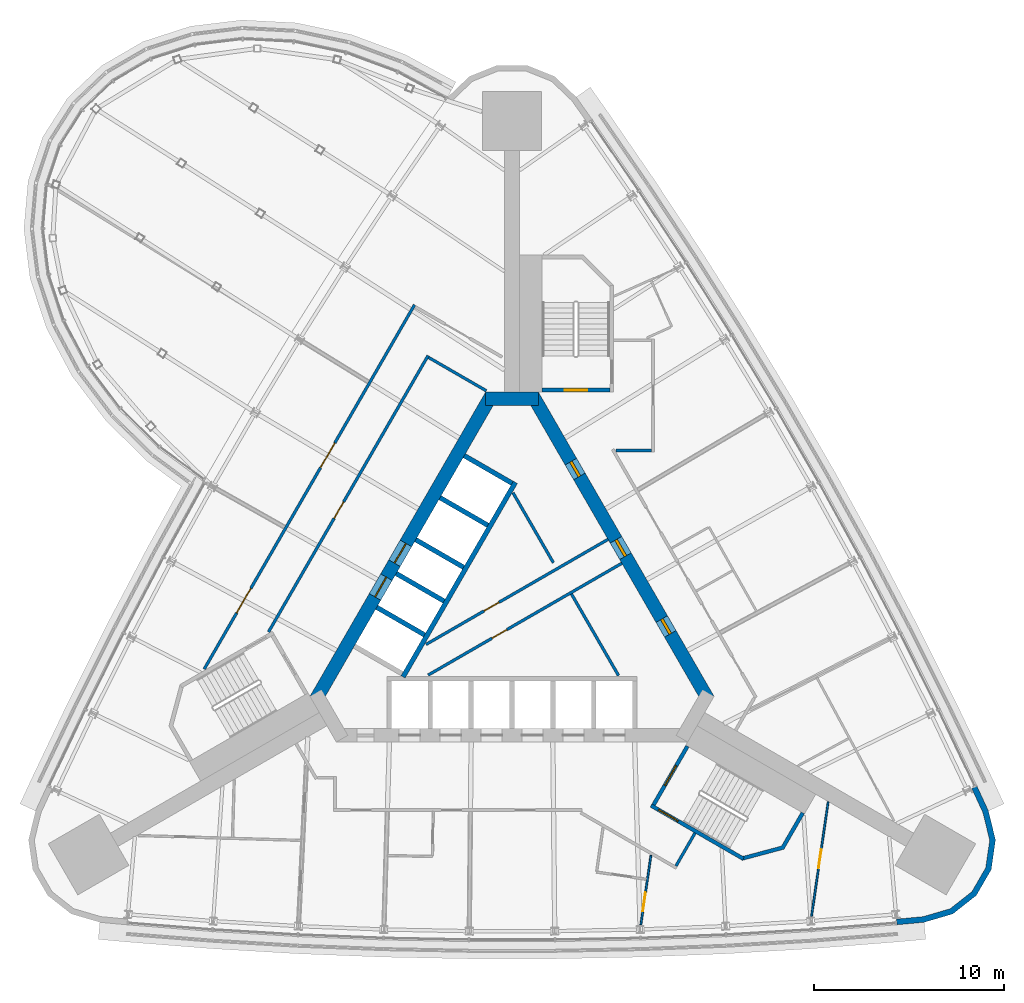
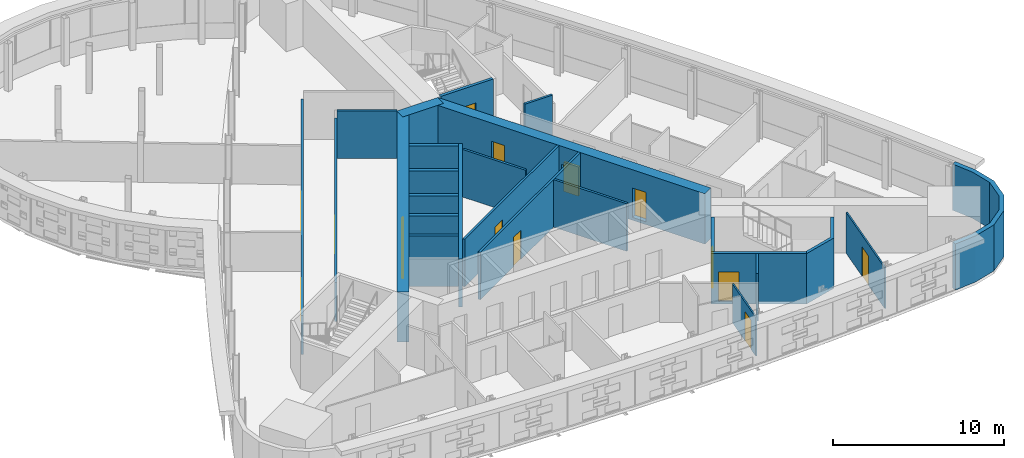
# One storey, part 12 of 17: 25 walls, 15 doors, 15 openings.
"""IFC4 building model written with IfcOpenShell, lengths in metres."""

import ifcopenshell
import ifcopenshell.guid

model = None  # the IFC model being written
_history = None  # IfcOwnerHistory: only IFC2X3 demands one
_inside = {}  # id of a spatial element -> (the spatial element, [elements in it])
_under = {}  # id of a project, library or spatial element -> (it, [spatial elements below it])
_declared = {}  # id of a project -> (the project, [libraries it declares])
_typed = {}  # id of a type object -> (the type object, [elements of that type])
_made_of = {}  # id of a material, layer set ... -> (it, [elements and type objects made of it])


def new_model(schema):
    """Start an empty IFC model of exactly this schema.

    Asked for "IFC4X3", IfcOpenShell would pick the latest addendum, in which some entities
    have other attributes; the version numbers below select the first issue.
    IFC2X3 requires an IfcOwnerHistory on every rooted entity: one is made here for all.
    """
    global model, _history
    if schema == "IFC4X3":
        model = ifcopenshell.file(schema_version=(4, 3, 0, 0))
    else:
        model = ifcopenshell.file(schema=schema)
    _inside.clear()
    _under.clear()
    _declared.clear()
    _typed.clear()
    _made_of.clear()
    _history = None
    if model.schema == "IFC2X3":
        org = make("IfcOrganization", Name="unknown")
        user = make(
            "IfcPersonAndOrganization",
            ThePerson=make("IfcPerson", FamilyName="unknown"),
            TheOrganization=org,
        )
        app = make(
            "IfcApplication",
            ApplicationDeveloper=org,
            Version="unknown",
            ApplicationFullName="unknown",
            ApplicationIdentifier="unknown",
        )
        _history = make(
            "IfcOwnerHistory",
            OwningUser=user,
            OwningApplication=app,
            ChangeAction="ADDED",
            CreationDate=0,
        )
    return model


def make(cls, **values):
    """One entity of the class cls with the attributes given. An attribute that is None is left unset."""
    return model.create_entity(
        cls, **{name: value for name, value in values.items() if value is not None}
    )


def rooted(cls, **values):
    """An entity with a GlobalId (a new one), such as an element, a storey or a relation."""
    return make(cls, GlobalId=ifcopenshell.guid.new(), OwnerHistory=_history, **values)


def si_unit(unit_type, name, prefix=None):
    """IfcSIUnit, for example si_unit("LENGTHUNIT", "METRE", prefix="MILLI")."""
    return make("IfcSIUnit", UnitType=unit_type, Prefix=prefix, Name=name)


def assignment(units):
    """IfcUnitAssignment: the units of a project."""
    return None if units is None else make("IfcUnitAssignment", Units=units)


def point(xyz):
    """IfcCartesianPoint."""
    return None if xyz is None else make("IfcCartesianPoint", Coordinates=xyz)


def direction(xyz):
    """IfcDirection."""
    return None if xyz is None else make("IfcDirection", DirectionRatios=xyz)


def frame(location, z_axis=None, x_axis=None):
    """IfcAxis2Placement3D, a coordinate frame: its origin and axes. An axis left out is left unset."""
    return make(
        "IfcAxis2Placement3D",
        Location=point(location),
        Axis=direction(z_axis),
        RefDirection=direction(x_axis),
    )


def frame_2d(location, x_axis=None):
    """IfcAxis2Placement2D, a coordinate frame in the plane: its origin and x axis."""
    return make(
        "IfcAxis2Placement2D", Location=point(location), RefDirection=direction(x_axis)
    )


def origin():
    """The frame at (0, 0, 0) with its axes left unset."""
    return frame((0.0, 0.0, 0.0))


def place(relative_to, where):
    """IfcLocalPlacement: puts the frame where relative to a parent placement (None: the world)."""
    return make(
        "IfcLocalPlacement", PlacementRelTo=relative_to, RelativePlacement=where
    )


def context(
    kind, dimensions, precision=None, world=None, true_north=None, identifier=None
):
    """IfcGeometricRepresentationContext, for example the 3D "Model" context."""
    return make(
        "IfcGeometricRepresentationContext",
        ContextIdentifier=identifier,
        ContextType=kind,
        CoordinateSpaceDimension=dimensions,
        Precision=precision,
        WorldCoordinateSystem=world,
        TrueNorth=true_north,
    )


def subcontext(parent, identifier, kind, view, scale=None):
    """IfcGeometricRepresentationSubContext, for example "Body" below "Model"."""
    return make(
        "IfcGeometricRepresentationSubContext",
        ContextIdentifier=identifier,
        ContextType=kind,
        ParentContext=parent,
        TargetScale=scale,
        TargetView=view,
    )


def project(units=None, contexts=None):
    """IfcProject with its units and contexts."""
    return rooted(
        "IfcProject",
        Name="project",
        RepresentationContexts=contexts,
        UnitsInContext=assignment(units),
    )


def spatial(cls, under=None, at=None, **own):
    """A site, building, storey or space (cls), placed at a placement, below another one or the project."""
    s = rooted(cls, ObjectPlacement=at, **own)
    if under is not None:
        _under.setdefault(under.id(), (under, []))[1].append(s)
    return s


def polyline(points):
    """IfcPolyline through the points."""
    return make("IfcPolyline", Points=[point(p) for p in points])


def profile(cls, at=None, kind="AREA", **sizes):
    """A parametric profile (cls). Its sizes go by their IFC names, for example OverallWidth=200.0."""
    return make(cls, ProfileType=kind, Position=at, **sizes)


def rectangle(**sizes):
    """IfcRectangleProfileDef."""
    return profile("IfcRectangleProfileDef", **sizes)


def outline(outer, holes=None, kind="AREA"):
    """IfcArbitraryClosedProfileDef: a profile drawn as a closed curve; with holes, ...WithVoids."""
    if holes is None:
        return make("IfcArbitraryClosedProfileDef", ProfileType=kind, OuterCurve=outer)
    return make(
        "IfcArbitraryProfileDefWithVoids",
        ProfileType=kind,
        OuterCurve=outer,
        InnerCurves=holes,
    )


def extrude(swept, where, along, depth):
    """IfcExtrudedAreaSolid: the profile swept, set in the frame where, extruded along a direction by depth."""
    return make(
        "IfcExtrudedAreaSolid",
        SweptArea=swept,
        Position=where,
        ExtrudedDirection=direction(along),
        Depth=depth,
    )


def shape(context_of_items, identifier, shape_type, items):
    """IfcShapeRepresentation: the items that make up one representation, for example the "Body"."""
    return make(
        "IfcShapeRepresentation",
        ContextOfItems=context_of_items,
        RepresentationIdentifier=identifier,
        RepresentationType=shape_type,
        Items=items,
    )


def material(Name=None, Category=None):
    """IfcMaterial."""
    return make("IfcMaterial", Name=Name, Category=Category)


def layer(
    of_material, thickness, ventilated=None, Name=None, Category=None, Priority=None
):
    """IfcMaterialLayer: one layer of a wall or slab, of a material (None: an air gap)."""
    return make(
        "IfcMaterialLayer",
        Material=of_material,
        LayerThickness=thickness,
        IsVentilated=ventilated,
        Name=Name,
        Category=Category,
        Priority=Priority,
    )


def layer_set(layers, Name=None):
    """IfcMaterialLayerSet."""
    return make("IfcMaterialLayerSet", MaterialLayers=layers, LayerSetName=Name)


def made_of(thing, what):
    """Note that an element or type object is made of a material, layer set ...; save() writes the relation."""
    if what is not None:
        _made_of.setdefault(what.id(), (what, []))[1].append(thing)
    return thing


def type_object(cls, material=None, **own):
    """A type object (cls), such as IfcWallType, which elements share."""
    return made_of(rooted(cls, **own), material)


def element(
    cls,
    number,
    at=None,
    inside=None,
    cuts=None,
    type_object=None,
    material=None,
    context=None,
    identifier="Body",
    shape_type=None,
    held_by="IfcProductDefinitionShape",
    body=None,
    shapes=None,
    **own,
):
    """One element of the class cls, such as IfcWall. Its Tag is "e" and its number.

    at: its placement. inside: the storey or other place that contains it. cuts: it is an
    opening in that element (IfcRelVoidsElement). A single representation is given by context,
    identifier, shape_type and body (its items); several are given by shapes. held_by: the class
    of the entity that holds the representations. save() writes the other relations.
    """
    e = rooted(cls, Tag="e%d" % number, ObjectPlacement=at, **own)
    if body is not None:
        shapes = [shape(context, identifier, shape_type, body)]
    if shapes is not None:
        e.Representation = make(held_by, Representations=shapes)
    if inside is not None:
        _inside.setdefault(inside.id(), (inside, []))[1].append(e)
    if cuts is not None:
        rooted(
            "IfcRelVoidsElement", RelatingBuildingElement=cuts, RelatedOpeningElement=e
        )
    if type_object is not None:
        _typed.setdefault(type_object.id(), (type_object, []))[1].append(e)
    return made_of(e, material)


def fill(opening, filler):
    """IfcRelFillsElement: the door or window that sits in an opening."""
    return rooted(
        "IfcRelFillsElement",
        RelatingOpeningElement=opening,
        RelatedBuildingElement=filler,
    )


def aggregate(whole, parts):
    """IfcRelAggregates: a whole, such as a stair, and the parts it consists of."""
    return rooted("IfcRelAggregates", RelatingObject=whole, RelatedObjects=parts)


def save(model, path):
    """Write the relations noted so far, then the file.

    IfcRelAggregates (storeys below a building ...), IfcRelContainedInSpatialStructure (elements
    in a storey), IfcRelDefinesByType, IfcRelAssociatesMaterial and IfcRelDeclares: one each for
    every whole, place, type object, material and project.
    """
    for whole, parts in _under.values():
        aggregate(whole, parts)
    for where, things in _inside.values():
        rooted(
            "IfcRelContainedInSpatialStructure",
            RelatedElements=things,
            RelatingStructure=where,
        )
    for kind, things in _typed.values():
        rooted("IfcRelDefinesByType", RelatedObjects=things, RelatingType=kind)
    for what, things in _made_of.values():
        rooted("IfcRelAssociatesMaterial", RelatedObjects=things, RelatingMaterial=what)
    for by, libraries in _declared.values():
        rooted("IfcRelDeclares", RelatingContext=by, RelatedDefinitions=libraries)
    model.write(path)


model = new_model("IFC4")

# Units and contexts
model_context = context("Model", 3, precision=1e-05, world=origin(), true_north=direction((0.0, 1.0)))
body_context = subcontext(model_context, "Body", "Model", "MODEL_VIEW")
ifc_project = project(units=[si_unit("LENGTHUNIT", "METRE"), si_unit("AREAUNIT", "SQUARE_METRE"), si_unit("VOLUMEUNIT", "CUBIC_METRE"), si_unit("PLANEANGLEUNIT", "RADIAN"), si_unit("MASSUNIT", "GRAM", prefix="KILO")], contexts=[model_context])

# Site, building, storey
site_placement = place(None, origin())
site = spatial("IfcSite", under=ifc_project, at=site_placement, CompositionType="ELEMENT")
building_placement = place(site_placement, origin())
building = spatial("IfcBuilding", under=site, at=building_placement, Name="Noor Cloister Tower", CompositionType="ELEMENT")
storey_placement = place(building_placement, frame((0.0, 0.0, 95.10009765625)))
storey = spatial("IfcBuildingStorey", under=building, at=storey_placement, Name="L24", CompositionType="ELEMENT", Elevation=95.10009765625)

# Wall, opening, door
ifc_material_1 = material(Name="Concrete C30/37", Category="concrete")
ifc_layer_1 = layer(ifc_material_1, 0.14990234375)
ifc_layer_set_1 = layer_set([ifc_layer_1], Name="Core partition 150 C30/37")
wall_type_1 = type_object("IfcWallType", Name="Core partition 150 C30/37", PredefinedType="PARTITIONING", material=ifc_layer_set_1)
wall_1_placement = place(storey_placement, frame((-4.522705078125, -1.80712890625, 0.0), z_axis=(0.0, 0.0, 1.0), x_axis=(0.866030300338, 0.499991518824, 0.0)))
wall_1 = element("IfcWall", 1, at=wall_1_placement, inside=storey, type_object=wall_type_1, Name="Core room partition L24 1", PredefinedType="PARTITIONING", context=body_context, shape_type="SweptSolid", body=[
    extrude(rectangle(XDim=11.048583984375, YDim=0.14990234375, at=frame_2d((5.5244140625, 0.0))), origin(), (0.0, 0.0, 1.0), 3.39990234375),
])
opening_1_placement = place(wall_1_placement, frame((3.525390625, 0.0, 0.0)))
opening_1 = element("IfcOpeningElement", 2, at=opening_1_placement, cuts=wall_1, Name="Opening L24-906", PredefinedType="OPENING", context=body_context, shape_type="SweptSolid", body=[
    extrude(rectangle(XDim=0.89990234375, YDim=2.10009765625, at=frame_2d((0.449951171875, 1.050048828125))), frame((0.0, 0.0849609375, 0.0), z_axis=(0.0, -1.0, 0.0), x_axis=(1.0, 0.0, 0.0)), (0.0, 0.0, 1.0), 0.169921875),
])
ifc_material_2 = material(Name="Steel", Category="steel")
door_type_1 = type_object("IfcDoorType", Name="Core door 900 x 2100 FD60", OperationType="SINGLE_SWING_LEFT", PredefinedType="DOOR", material=ifc_material_2)
door_1_placement = place(opening_1_placement, origin())
door_1 = element("IfcDoor", 3, at=door_1_placement, inside=storey, type_object=door_type_1, Name="Core door 6 L24", OperationType="SINGLE_SWING_RIGHT", OverallHeight=2.10009765625, OverallWidth=0.89990234375, PredefinedType="DOOR", context=body_context, shape_type="SweptSolid", body=[
    extrude(rectangle(XDim=0.89990234375, YDim=2.10009765625, at=frame_2d((0.449951171875, 1.050048828125))), frame((0.0, 0.02490234375, 0.0), z_axis=(0.0, -1.0, 0.0), x_axis=(1.0, 0.0, 0.0)), (0.0, 0.0, 1.0), 0.050048828125),
])
fill(opening_1, door_1)

wall_2_placement = place(storey_placement, frame((-4.404296875, -3.4130859375, 0.0), z_axis=(0.0, 0.0, 1.0), x_axis=(0.866022252853, 0.500005457533, 0.0)))
wall_2 = element("IfcWall", 4, at=wall_2_placement, inside=storey, type_object=wall_type_1, Name="Core room partition L24 2", PredefinedType="PARTITIONING", context=body_context, shape_type="SweptSolid", body=[
    extrude(rectangle(XDim=11.748779296875, YDim=0.14990234375, at=frame_2d((5.87451171875, 0.0))), origin(), (0.0, 0.0, 1.0), 3.39990234375),
])
opening_2_placement = place(wall_2_placement, frame((3.87548828125, 0.0, 0.0)))
opening_2 = element("IfcOpeningElement", 5, at=opening_2_placement, cuts=wall_2, Name="Opening L24-904", PredefinedType="OPENING", context=body_context, shape_type="SweptSolid", body=[
    extrude(rectangle(XDim=0.89990234375, YDim=2.10009765625, at=frame_2d((0.449951171875, 1.050048828125))), frame((0.0, 0.0849609375, 0.0), z_axis=(0.0, -1.0, 0.0), x_axis=(1.0, 0.0, 0.0)), (0.0, 0.0, 1.0), 0.169921875),
])
ifc_material_3 = material(Name="Steel", Category="steel")
door_type_2 = type_object("IfcDoorType", Name="Core door 900 x 2100 FD120", OperationType="SINGLE_SWING_LEFT", PredefinedType="DOOR", material=ifc_material_3)
door_2_placement = place(opening_2_placement, origin())
door_2 = element("IfcDoor", 6, at=door_2_placement, inside=storey, type_object=door_type_2, Name="Core door 4 L24", OperationType="SINGLE_SWING_RIGHT", OverallHeight=2.10009765625, OverallWidth=0.89990234375, PredefinedType="DOOR", context=body_context, shape_type="SweptSolid", body=[
    extrude(rectangle(XDim=0.89990234375, YDim=2.10009765625, at=frame_2d((0.449951171875, 1.050048828125))), frame((0.0, 0.02490234375, 0.0), z_axis=(0.0, -1.0, 0.0), x_axis=(1.0, 0.0, 0.0)), (0.0, 0.0, 1.0), 0.050048828125),
])
fill(opening_2, door_2)

# Walls
wall_3_placement = place(storey_placement, frame((2.173583984375, 2.491943359375, 0.0), z_axis=(0.0, 0.0, 1.0), x_axis=(-0.499999641798, 0.866025610592, 0.0)))
element("IfcWall", 7, at=wall_3_placement, inside=storey, type_object=wall_type_1, Name="Core room partition L24 3", PredefinedType="PARTITIONING", context=body_context, shape_type="SweptSolid", body=[
    extrude(rectangle(XDim=4.244140625, YDim=0.14990234375, at=frame_2d((2.1220703125, 0.0))), origin(), (0.0, 0.0, 1.0), 3.39990234375),
])
wall_4_placement = place(storey_placement, frame((5.597900390625, -3.439208984375, 0.0), z_axis=(0.0, 0.0, 1.0), x_axis=(-0.500007155043, 0.866021272779, 0.0)))
element("IfcWall", 8, at=wall_4_placement, inside=storey, type_object=wall_type_1, Name="Core room partition L24 4", PredefinedType="PARTITIONING", context=body_context, shape_type="SweptSolid", body=[
    extrude(rectangle(XDim=4.94873046875, YDim=0.14990234375, at=frame_2d((2.474365234375, 0.0))), origin(), (0.0, 0.0, 1.0), 3.39990234375),
])

# Wall, openings, doors
ifc_material_4 = material(Name="Concrete C80/95", Category="concrete")
ifc_layer_2 = layer(ifc_material_4, 0.699951171875)
ifc_layer_set_2 = layer_set([ifc_layer_2], Name="Core wall 700 C80/95")
wall_type_2 = type_object("IfcWallType", Name="Core wall 700 C80/95", PredefinedType="SHEAR", material=ifc_layer_set_2)
wall_5_placement = place(storey_placement, frame((10.311279296875, -4.703125, -0.2001953125), z_axis=(0.0, 0.0, 1.0), x_axis=(-0.500001446645, 0.866024568562, 0.0)))
wall_5 = element("IfcWall", 9, at=wall_5_placement, inside=storey, type_object=wall_type_2, Name="Core wall L24 3", PredefinedType="SHEAR", context=body_context, shape_type="SweptSolid", body=[
    extrude(rectangle(XDim=18.45751953125, YDim=0.699951171875, at=frame_2d((9.228759765625, 0.0))), origin(), (0.0, 0.0, 1.0), 3.60009765625),
])
opening_3_placement = place(wall_5_placement, frame((8.699951171875, 0.0, 0.199951171875)))
opening_3 = element("IfcOpeningElement", 10, at=opening_3_placement, cuts=wall_5, Name="Opening L24-901", PredefinedType="OPENING", context=body_context, shape_type="SweptSolid", body=[
    extrude(rectangle(XDim=1.0, YDim=2.10009765625, at=frame_2d((0.5, 1.050048828125))), frame((0.0, 0.35986328125, 0.0), z_axis=(0.0, -1.0, 0.0), x_axis=(1.0, 0.0, 0.0)), (0.0, 0.0, 1.0), 0.719970703125),
])
opening_4_placement = place(wall_5_placement, frame((3.989501953125, 0.0, 0.199951171875)))
opening_4 = element("IfcOpeningElement", 11, at=opening_4_placement, cuts=wall_5, Name="Opening L24-902", PredefinedType="OPENING", context=body_context, shape_type="SweptSolid", body=[
    extrude(rectangle(XDim=0.89990234375, YDim=2.10009765625, at=frame_2d((0.449951171875, 1.050048828125))), frame((0.0, 0.35986328125, 0.0), z_axis=(0.0, -1.0, 0.0), x_axis=(1.0, 0.0, 0.0)), (0.0, 0.0, 1.0), 0.719970703125),
])
opening_5_placement = place(wall_5_placement, frame((13.539306640625, 0.0, 0.199951171875)))
opening_5 = element("IfcOpeningElement", 12, at=opening_5_placement, cuts=wall_5, Name="Opening L24-903", PredefinedType="OPENING", context=body_context, shape_type="SweptSolid", body=[
    extrude(rectangle(XDim=0.89990234375, YDim=2.10009765625, at=frame_2d((0.449951171875, 1.050048828125))), frame((0.0, 0.35986328125, 0.0), z_axis=(0.0, -1.0, 0.0), x_axis=(1.0, 0.0, 0.0)), (0.0, 0.0, 1.0), 0.719970703125),
])
ifc_material_5 = material(Name="Steel", Category="steel")
door_type_3 = type_object("IfcDoorType", Name="Core door 1000 x 2100 FD120", OperationType="SINGLE_SWING_LEFT", PredefinedType="DOOR", material=ifc_material_5)
door_3_placement = place(opening_3_placement, origin())
door_3 = element("IfcDoor", 13, at=door_3_placement, inside=storey, type_object=door_type_3, Name="Core door 1 L24", OperationType="SINGLE_SWING_LEFT", OverallHeight=2.10009765625, OverallWidth=1.0, PredefinedType="DOOR", context=body_context, shape_type="SweptSolid", body=[
    extrude(rectangle(XDim=1.0, YDim=2.10009765625, at=frame_2d((0.5, 1.050048828125))), frame((0.0, 0.074951171875, 0.0), z_axis=(0.0, -1.0, 0.0), x_axis=(1.0, 0.0, 0.0)), (0.0, 0.0, 1.0), 0.14990234375),
])
fill(opening_3, door_3)
door_4_placement = place(opening_4_placement, origin())
door_4 = element("IfcDoor", 14, at=door_4_placement, inside=storey, type_object=door_type_2, Name="Core door 2 L24", OperationType="SINGLE_SWING_RIGHT", OverallHeight=2.10009765625, OverallWidth=0.89990234375, PredefinedType="DOOR", context=body_context, shape_type="SweptSolid", body=[
    extrude(rectangle(XDim=0.89990234375, YDim=2.10009765625, at=frame_2d((0.449951171875, 1.050048828125))), frame((0.0, 0.074951171875, 0.0), z_axis=(0.0, -1.0, 0.0), x_axis=(1.0, 0.0, 0.0)), (0.0, 0.0, 1.0), 0.14990234375),
])
fill(opening_4, door_4)
door_5_placement = place(opening_5_placement, origin())
door_5 = element("IfcDoor", 15, at=door_5_placement, inside=storey, type_object=door_type_2, Name="Core door 3 L24", OperationType="SINGLE_SWING_LEFT", OverallHeight=2.10009765625, OverallWidth=0.89990234375, PredefinedType="DOOR", context=body_context, shape_type="SweptSolid", body=[
    extrude(rectangle(XDim=0.89990234375, YDim=2.10009765625, at=frame_2d((0.449951171875, 1.050048828125))), frame((0.0, 0.074951171875, 0.0), z_axis=(0.0, -1.0, 0.0), x_axis=(1.0, 0.0, 0.0)), (0.0, 0.0, 1.0), 0.14990234375),
])
fill(opening_5, door_5)

# Wall
wall_6_placement = place(storey_placement, frame((1.3857421875, 11.1064453125, -0.2001953125), z_axis=(0.0, 0.0, 1.0), x_axis=(-1.0, 0.0, 0.0)))
element("IfcWall", 16, at=wall_6_placement, inside=storey, type_object=wall_type_2, Name="Core wall L24 4", PredefinedType="SHEAR", context=body_context, shape_type="SweptSolid", body=[
    extrude(rectangle(XDim=2.771484375, YDim=0.699951171875, at=frame_2d((1.3857421875, 0.0))), origin(), (0.0, 0.0, 1.0), 3.60009765625),
])

# Wall, openings, doors
wall_7_placement = place(storey_placement, frame((-1.08251953125, 11.281494140625, -0.2001953125), z_axis=(0.0, 0.0, 1.0), x_axis=(-0.500001446645, -0.866024568562, 0.0)))
wall_7 = element("IfcWall", 17, at=wall_7_placement, inside=storey, type_object=wall_type_2, Name="Core wall L24 5", PredefinedType="SHEAR", context=body_context, shape_type="SweptSolid", body=[
    extrude(rectangle(XDim=18.45751953125, YDim=0.699951171875, at=frame_2d((9.228759765625, 0.0))), origin(), (0.0, 0.0, 1.0), 3.60009765625),
])
opening_6_placement = place(wall_7_placement, frame((8.978759765625, 0.0, 0.199951171875)))
opening_6 = element("IfcOpeningElement", 18, at=opening_6_placement, cuts=wall_7, Name="Opening L24-FF1", PredefinedType="OPENING", context=body_context, shape_type="SweptSolid", body=[
    extrude(rectangle(XDim=1.199951171875, YDim=2.10009765625, at=frame_2d((0.60009765625, 1.050048828125))), frame((0.0, 0.35986328125, 0.0), z_axis=(0.0, -1.0, 0.0), x_axis=(1.0, 0.0, 0.0)), (0.0, 0.0, 1.0), 0.719970703125),
])
opening_7_placement = place(wall_7_placement, frame((11.02880859375, 0.0, 0.199951171875)))
opening_7 = element("IfcOpeningElement", 19, at=opening_7_placement, cuts=wall_7, Name="Opening L24-FF2", PredefinedType="OPENING", context=body_context, shape_type="SweptSolid", body=[
    extrude(rectangle(XDim=1.199951171875, YDim=2.10009765625, at=frame_2d((0.60009765625, 1.050048828125))), frame((0.0, 0.35986328125, 0.0), z_axis=(0.0, -1.0, 0.0), x_axis=(1.0, 0.0, 0.0)), (0.0, 0.0, 1.0), 0.719970703125),
])
ifc_material_6 = material(Name="Stainless steel", Category="steel")
door_type_4 = type_object("IfcDoorType", Name="Lift landing door 1200 x 2100", OperationType="DOUBLE_DOOR_SLIDING", PredefinedType="DOOR", material=ifc_material_6)
door_6_placement = place(opening_6_placement, origin())
door_6 = element("IfcDoor", 20, at=door_6_placement, inside=storey, type_object=door_type_4, Name="Landing door FF1 L24", OperationType="DOUBLE_DOOR_SLIDING", OverallHeight=2.10009765625, OverallWidth=1.199951171875, PredefinedType="DOOR", context=body_context, shape_type="SweptSolid", body=[
    extrude(rectangle(XDim=1.199951171875, YDim=2.10009765625, at=frame_2d((0.60009765625, 1.050048828125))), frame((0.0, 0.02490234375, 0.0), z_axis=(0.0, -1.0, 0.0), x_axis=(1.0, 0.0, 0.0)), (0.0, 0.0, 1.0), 0.050048828125),
])
fill(opening_6, door_6)
door_7_placement = place(opening_7_placement, origin())
door_7 = element("IfcDoor", 21, at=door_7_placement, inside=storey, type_object=door_type_4, Name="Landing door FF2 L24", OperationType="DOUBLE_DOOR_SLIDING", OverallHeight=2.10009765625, OverallWidth=1.199951171875, PredefinedType="DOOR", context=body_context, shape_type="SweptSolid", body=[
    extrude(rectangle(XDim=1.199951171875, YDim=2.10009765625, at=frame_2d((0.60009765625, 1.050048828125))), frame((0.0, 0.02490234375, 0.0), z_axis=(0.0, -1.0, 0.0), x_axis=(1.0, 0.0, 0.0)), (0.0, 0.0, 1.0), 0.050048828125),
])
fill(opening_7, door_7)

# Wall, opening, door
ifc_material_7 = material(Name="Fire-rated gypsum board partition on steel studs, 150 mm", Category="steel")
ifc_layer_3 = layer(ifc_material_7, 0.14990234375)
ifc_layer_set_3 = layer_set([ifc_layer_3], Name="Fire lobby wall 150")
wall_type_3 = type_object("IfcWallType", Name="Fire lobby wall 150", PredefinedType="PARTITIONING", material=ifc_layer_set_3)
wall_8_placement = place(storey_placement, frame((-4.40673828125, 13.373779296875, 0.0), z_axis=(0.0, 0.0, 1.0), x_axis=(-0.499997181693, -0.866027030928, 0.0)))
wall_8 = element("IfcWall", 22, at=wall_8_placement, inside=storey, type_object=wall_type_3, Name="Fire lobby wall 150 L24 002", PredefinedType="PARTITIONING", context=body_context, shape_type="SweptSolid", body=[
    extrude(rectangle(XDim=16.76953125, YDim=0.14990234375, at=frame_2d((8.384765625, 0.0))), origin(), (0.0, 0.0, 1.0), 2.77783203125),
])
opening_8_placement = place(wall_8_placement, frame((8.878662109375, 0.0, 0.0)))
opening_8 = element("IfcOpeningElement", 23, at=opening_8_placement, cuts=wall_8, Name="Opening L24-003", PredefinedType="OPENING", context=body_context, shape_type="SweptSolid", body=[
    extrude(rectangle(XDim=1.0, YDim=2.10009765625, at=frame_2d((0.5, 1.050048828125))), frame((0.0, 0.0849609375, 0.0), z_axis=(0.0, -1.0, 0.0), x_axis=(1.0, 0.0, 0.0)), (0.0, 0.0, 1.0), 0.169921875),
])
ifc_material_8 = material(Name="Timber door leaf with steel frame", Category="steel")
door_type_5 = type_object("IfcDoorType", Name="Fire lobby door 1000", OperationType="NOTDEFINED", PredefinedType="DOOR", material=ifc_material_8)
door_8_placement = place(opening_8_placement, origin())
door_8 = element("IfcDoor", 24, at=door_8_placement, inside=storey, type_object=door_type_5, Name="Fire lobby door 1000 L24-003", OperationType="SINGLE_SWING_RIGHT", OverallHeight=2.10009765625, OverallWidth=1.0, PredefinedType="DOOR", context=body_context, shape_type="SweptSolid", body=[
    extrude(rectangle(XDim=1.0, YDim=2.10009765625, at=frame_2d((0.5, 1.050048828125))), frame((0.0, 0.02490234375, 0.0), z_axis=(0.0, -1.0, 0.0), x_axis=(1.0, 0.0, 0.0)), (0.0, 0.0, 1.0), 0.050048828125),
])
fill(opening_8, door_8)

# Wall
wall_9_placement = place(storey_placement, frame((-4.379150390625, 13.271484375, 0.0), z_axis=(0.0, 0.0, 1.0), x_axis=(0.866019471182, -0.500010275428, 0.0)))
element("IfcWall", 25, at=wall_9_placement, inside=storey, type_object=wall_type_3, Name="Fire lobby wall 150 L24 008", PredefinedType="PARTITIONING", context=body_context, shape_type="SweptSolid", body=[
    extrude(rectangle(XDim=3.5, YDim=0.14990234375, at=frame_2d((1.75, 0.0))), origin(), (0.0, 0.0, 1.0), 3.39990234375),
])

# Wall, openings, doors
ifc_material_9 = material(Name="Gypsum board partition on steel studs, 150 mm", Category="steel")
ifc_layer_4 = layer(ifc_material_9, 0.14990234375)
ifc_layer_set_4 = layer_set([ifc_layer_4], Name="Flat wall 150")
wall_type_4 = type_object("IfcWallType", Name="Flat wall 150", PredefinedType="PARTITIONING", material=ifc_layer_set_4)
wall_10_placement = place(storey_placement, frame((-16.1689453125, -3.09912109375, 0.0), z_axis=(0.0, 0.0, 1.0), x_axis=(0.499999805269, 0.866025516212, 0.0)))
wall_10 = element("IfcWall", 26, at=wall_10_placement, inside=storey, type_object=wall_type_4, Name="Flat wall 150 L24 001", PredefinedType="PARTITIONING", context=body_context, shape_type="SweptSolid", body=[
    extrude(rectangle(XDim=22.09716796875, YDim=0.14990234375, at=frame_2d((11.048583984375, 0.0))), origin(), (0.0, 0.0, 1.0), 2.77783203125),
])
opening_9_placement = place(wall_10_placement, frame((12.22119140625, 0.0, 0.0)))
opening_9 = element("IfcOpeningElement", 27, at=opening_9_placement, cuts=wall_10, Name="Opening L24-001", PredefinedType="OPENING", context=body_context, shape_type="SweptSolid", body=[
    extrude(rectangle(XDim=1.5, YDim=2.10009765625, at=frame_2d((0.75, 1.050048828125))), frame((0.0, 0.0849609375, 0.0), z_axis=(0.0, -1.0, 0.0), x_axis=(1.0, 0.0, 0.0)), (0.0, 0.0, 1.0), 0.169921875),
])
opening_10_placement = place(wall_10_placement, frame((3.402587890625, 0.0, 0.0)))
opening_10 = element("IfcOpeningElement", 28, at=opening_10_placement, cuts=wall_10, Name="Opening L24-002", PredefinedType="OPENING", context=body_context, shape_type="SweptSolid", body=[
    extrude(rectangle(XDim=1.5, YDim=2.10009765625, at=frame_2d((0.75, 1.050048828125))), frame((0.0, 0.0849609375, 0.0), z_axis=(0.0, -1.0, 0.0), x_axis=(1.0, 0.0, 0.0)), (0.0, 0.0, 1.0), 0.169921875),
])
ifc_material_10 = material(Name="Timber door leaf with steel frame", Category="steel")
door_type_6 = type_object("IfcDoorType", Name="Double door 1500 FD60", OperationType="NOTDEFINED", PredefinedType="DOOR", material=ifc_material_10)
door_9_placement = place(opening_9_placement, origin())
door_9 = element("IfcDoor", 29, at=door_9_placement, inside=storey, type_object=door_type_6, Name="Double door 1500 L24-001", OperationType="DOUBLE_DOOR_SINGLE_SWING", OverallHeight=2.10009765625, OverallWidth=1.5, PredefinedType="DOOR", context=body_context, shape_type="SweptSolid", body=[
    extrude(rectangle(XDim=1.5, YDim=2.10009765625, at=frame_2d((0.75, 1.050048828125))), frame((0.0, 0.02490234375, 0.0), z_axis=(0.0, -1.0, 0.0), x_axis=(1.0, 0.0, 0.0)), (0.0, 0.0, 1.0), 0.050048828125),
])
fill(opening_9, door_9)
door_10_placement = place(opening_10_placement, origin())
door_10 = element("IfcDoor", 30, at=door_10_placement, inside=storey, type_object=door_type_6, Name="Double door 1500 L24-002", OperationType="DOUBLE_DOOR_SINGLE_SWING", OverallHeight=2.10009765625, OverallWidth=1.5, PredefinedType="DOOR", context=body_context, shape_type="SweptSolid", body=[
    extrude(rectangle(XDim=1.5, YDim=2.10009765625, at=frame_2d((0.75, 1.050048828125))), frame((0.0, 0.02490234375, 0.0), z_axis=(0.0, -1.0, 0.0), x_axis=(1.0, 0.0, 0.0)), (0.0, 0.0, 1.0), 0.050048828125),
])
fill(opening_10, door_10)

# Walls
wall_11_placement = place(storey_placement, frame((8.613525390625, -13.443603515625, 0.0), z_axis=(0.0, 0.0, 1.0), x_axis=(0.499972520799, 0.866041268327, 0.0)))
element("IfcWall", 31, at=wall_11_placement, inside=storey, type_object=wall_type_4, Name="Flat wall 150 L24 010", PredefinedType="PARTITIONING", context=body_context, shape_type="SweptSolid", body=[
    extrude(rectangle(XDim=2.0, YDim=0.14990234375, at=frame_2d((1.0, 0.0))), origin(), (0.0, 0.0, 1.0), 3.39990234375),
])
wall_12_placement = place(storey_placement, frame((5.4560546875, 8.38134765625, 0.0), z_axis=(0.0, 0.0, 1.0), x_axis=(1.0, 0.0, 0.0)))
element("IfcWall", 32, at=wall_12_placement, inside=storey, type_object=wall_type_4, Name="Flat wall 150 L24 013", PredefinedType="PARTITIONING", context=body_context, shape_type="SweptSolid", body=[
    extrude(rectangle(XDim=1.879638671875, YDim=0.14990234375, at=frame_2d((0.93994140625, 0.0))), origin(), (0.0, 0.0, 1.0), 3.39990234375),
])
ifc_material_11 = material(Name="Limestone", Category="masonry")
ifc_layer_5 = layer(ifc_material_11, 0.300048828125)
ifc_layer_set_5 = layer_set([ifc_layer_5], Name="Limestone cladding 300")
wall_type_5 = type_object("IfcWallType", Name="Limestone cladding 300", PredefinedType="NOTDEFINED", material=ifc_layer_set_5)
wall_13_placement = place(storey_placement, origin())
element("IfcWall", 33, at=wall_13_placement, inside=storey, type_object=wall_type_5, Name="Limestone pier cladding L24 2.1", PredefinedType="NOTDEFINED", context=body_context, shape_type="SweptSolid", body=[
    extrude(outline(polyline([(20.2236328125, -16.53125), (21.65380859375, -16.399658203125), (23.1591796875, -15.958251953125), (24.392333984375, -14.988525390625), (25.1767578125, -13.630126953125), (25.399658203125, -12.077392578125), (25.029541015625, -10.552978515625), (24.42822265625, -9.24853515625), (24.15576171875, -9.3740234375), (24.744873046875, -10.652099609375), (25.094482421875, -12.092041015625), (24.887939453125, -13.5302734375), (24.161376953125, -14.78857421875), (23.019287109375, -15.6865234375), (21.597412109375, -16.103515625), (20.196044921875, -16.232421875), (20.2236328125, -16.53125)])), origin(), (0.0, 0.0, 1.0), 3.2998046875),
])

# Wall, opening, door
ifc_material_12 = material(Name="Gypsum board partition on steel studs, 100 mm", Category="steel")
ifc_layer_6 = layer(ifc_material_12, 0.10009765625)
ifc_layer_set_6 = layer_set([ifc_layer_6], Name="Partition 100")
wall_type_6 = type_object("IfcWallType", Name="Partition 100", PredefinedType="PARTITIONING", material=ifc_layer_set_6)
wall_14_placement = place(storey_placement, frame((16.610107421875, -10.072998046875, 0.0), z_axis=(0.0, 0.0, 1.0), x_axis=(-0.143841065588, -0.989600802269, 0.0)))
wall_14 = element("IfcWall", 34, at=wall_14_placement, inside=storey, type_object=wall_type_6, Name="Partition 100 L24 026", PredefinedType="PARTITIONING", context=body_context, shape_type="SweptSolid", body=[
    extrude(rectangle(XDim=6.072998046875, YDim=0.10009765625, at=frame_2d((3.03662109375, 0.0))), origin(), (0.0, 0.0, 1.0), 2.9228515625),
])
opening_11_placement = place(wall_14_placement, frame((2.5263671875, 0.0, 0.0)))
opening_11 = element("IfcOpeningElement", 35, at=opening_11_placement, cuts=wall_14, Name="Opening L24-019", PredefinedType="OPENING", context=body_context, shape_type="SweptSolid", body=[
    extrude(rectangle(XDim=1.0, YDim=2.10009765625, at=frame_2d((0.5, 1.050048828125))), frame((0.0, 0.06005859375, 0.0), z_axis=(0.0, -1.0, 0.0), x_axis=(1.0, 0.0, 0.0)), (0.0, 0.0, 1.0), 0.1201171875),
])
ifc_material_13 = material(Name="Timber door leaf with steel frame", Category="steel")
door_type_7 = type_object("IfcDoorType", Name="Interior door 1000", OperationType="NOTDEFINED", PredefinedType="DOOR", material=ifc_material_13)
door_11_placement = place(opening_11_placement, origin())
door_11 = element("IfcDoor", 36, at=door_11_placement, inside=storey, type_object=door_type_7, Name="Interior door 1000 L24-019", OperationType="SINGLE_SWING_LEFT", OverallHeight=2.10009765625, OverallWidth=1.0, PredefinedType="DOOR", context=body_context, shape_type="SweptSolid", body=[
    extrude(rectangle(XDim=1.0, YDim=2.10009765625, at=frame_2d((0.5, 1.050048828125))), frame((0.0, 0.02490234375, 0.0), z_axis=(0.0, -1.0, 0.0), x_axis=(1.0, 0.0, 0.0)), (0.0, 0.0, 1.0), 0.050048828125),
])
fill(opening_11, door_11)

wall_15_placement = place(storey_placement, frame((7.299560546875, -12.87939453125, 0.0), z_axis=(0.0, 0.0, 1.0), x_axis=(-0.14388794615, -0.989593986922, 0.0)))
wall_15 = element("IfcWall", 37, at=wall_15_placement, inside=storey, type_object=wall_type_6, Name="Partition 100 L24 028", PredefinedType="PARTITIONING", context=body_context, shape_type="SweptSolid", body=[
    extrude(rectangle(XDim=3.685302734375, YDim=0.10009765625, at=frame_2d((1.8427734375, 0.0))), origin(), (0.0, 0.0, 1.0), 2.77783203125),
])
opening_12_placement = place(wall_15_placement, frame((1.978759765625, 0.0, 0.0)))
opening_12 = element("IfcOpeningElement", 38, at=opening_12_placement, cuts=wall_15, Name="Opening L24-020", PredefinedType="OPENING", context=body_context, shape_type="SweptSolid", body=[
    extrude(rectangle(XDim=1.0, YDim=2.10009765625, at=frame_2d((0.5, 1.050048828125))), frame((0.0, 0.06005859375, 0.0), z_axis=(0.0, -1.0, 0.0), x_axis=(1.0, 0.0, 0.0)), (0.0, 0.0, 1.0), 0.1201171875),
])
door_12_placement = place(opening_12_placement, origin())
door_12 = element("IfcDoor", 39, at=door_12_placement, inside=storey, type_object=door_type_7, Name="Interior door 1000 L24-020", OperationType="SINGLE_SWING_RIGHT", OverallHeight=2.10009765625, OverallWidth=1.0, PredefinedType="DOOR", context=body_context, shape_type="SweptSolid", body=[
    extrude(rectangle(XDim=1.0, YDim=2.10009765625, at=frame_2d((0.5, 1.050048828125))), frame((0.0, 0.02490234375, 0.0), z_axis=(0.0, -1.0, 0.0), x_axis=(1.0, 0.0, 0.0)), (0.0, 0.0, 1.0), 0.050048828125),
])
fill(opening_12, door_12)

# Walls
ifc_material_14 = material(Name="Concrete C80/95", Category="concrete")
ifc_layer_7 = layer(ifc_material_14, 0.25)
ifc_layer_set_7 = layer_set([ifc_layer_7], Name="Shaft wall 250 C80/95")
wall_type_7 = type_object("IfcWallType", Name="Shaft wall 250 C80/95", PredefinedType="PARTITIONING", material=ifc_layer_set_7)
wall_16_placement = place(storey_placement, frame((-2.50634765625, 8.115478515625, -0.2001953125), z_axis=(0.0, 0.0, 1.0), x_axis=(0.865996321171, -0.50005036918, 0.0)))
element("IfcWall", 40, at=wall_16_placement, inside=storey, type_object=wall_type_7, Name="Lift shaft wall L24 NW 1", PredefinedType="PARTITIONING", context=body_context, shape_type="SweptSolid", body=[
    extrude(rectangle(XDim=2.900146484375, YDim=0.25, at=frame_2d((1.4501953125, 0.0))), origin(), (0.0, 0.0, 1.0), 3.60009765625),
])
for number, where, z_axis, x_axis, name in (
    (41, (-3.78125, 5.906982421875, -0.2001953125), (0.0, 0.0, 1.0), (0.866032775405, -0.499987231761, 0.0), "Lift shaft wall L24 NW 2"),
    (42, (-5.056396484375, 3.69873046875, -0.2001953125), (0.0, 0.0, 1.0), (0.866032775405, -0.499987231761, 0.0), "Lift shaft wall L24 NW 3"),
    (43, (-6.081298828125, 1.92333984375, -0.2001953125), (0.0, 0.0, 1.0), (0.866032775405, -0.499987231761, 0.0), "Lift shaft wall L24 NW 4"),
    (44, (-7.106201171875, 0.14794921875, -0.2001953125), (0.0, 0.0, 1.0), (0.866032775405, -0.499987231761, 0.0), "Lift shaft wall L24 NW 5"),
):
    element("IfcWall", number, at=place(storey_placement, frame(where, z_axis=z_axis, x_axis=x_axis)), inside=storey, type_object=wall_type_7, Name=name, PredefinedType="PARTITIONING", context=body_context, shape_type="SweptSolid", body=[
        extrude(rectangle(XDim=2.89990234375, YDim=0.25, at=frame_2d((1.449951171875, 0.0))), origin(), (0.0, 0.0, 1.0), 3.60009765625),
    ])
wall_17_placement = place(storey_placement, frame((0.176025390625, 6.711181640625, 0.0), z_axis=(0.0, 0.0, 1.0), x_axis=(-0.500004227369, -0.866022963098, 0.0)))
element("IfcWall", 45, at=wall_17_placement, inside=storey, type_object=wall_type_7, Name="Lift shaft back wall L24 NW", PredefinedType="PARTITIONING", context=body_context, shape_type="SweptSolid", body=[
    extrude(rectangle(XDim=11.80029296875, YDim=0.25, at=frame_2d((5.900146484375, 0.0))), origin(), (0.0, 0.0, 1.0), 3.39990234375),
])

# Wall, opening, door
ifc_material_15 = material(Name="Concrete C80/95", Category="concrete")
ifc_layer_8 = layer(ifc_material_15, 0.199951171875)
ifc_layer_set_8 = layer_set([ifc_layer_8], Name="Stair enclosure wall 200 C80/95")
wall_type_8 = type_object("IfcWallType", Name="Stair enclosure wall 200 C80/95", PredefinedType="SHEAR", material=ifc_layer_set_8)
wall_18_placement = place(storey_placement, frame((5.135498046875, 11.556396484375, -0.2001953125), z_axis=(0.0, 0.0, 1.0), x_axis=(-1.0, 0.0, 0.0)))
wall_18 = element("IfcWall", 46, at=wall_18_placement, inside=storey, type_object=wall_type_8, Name="Stair enclosure wall ST1 L24 near end", PredefinedType="SHEAR", context=body_context, shape_type="SweptSolid", body=[
    extrude(rectangle(XDim=3.5498046875, YDim=0.199951171875, at=frame_2d((1.77490234375, 0.0))), origin(), (0.0, 0.0, 1.0), 3.60009765625),
])
opening_13_placement = place(wall_18_placement, frame((1.175048828125, 0.0, 0.199951171875)))
opening_13 = element("IfcOpeningElement", 47, at=opening_13_placement, cuts=wall_18, Name="Opening L24-ST1L", PredefinedType="OPENING", context=body_context, shape_type="SweptSolid", body=[
    extrude(rectangle(XDim=1.199951171875, YDim=2.10009765625, at=frame_2d((0.60009765625, 1.050048828125))), frame((0.0, 0.10986328125, 0.0), z_axis=(0.0, -1.0, 0.0), x_axis=(1.0, 0.0, 0.0)), (0.0, 0.0, 1.0), 0.219970703125),
])
ifc_material_16 = material(Name="Steel", Category="steel")
door_type_8 = type_object("IfcDoorType", Name="Stair door 1200 x 2100 FD120", OperationType="SINGLE_SWING_LEFT", PredefinedType="DOOR", material=ifc_material_16)
door_13_placement = place(opening_13_placement, origin())
door_13 = element("IfcDoor", 48, at=door_13_placement, inside=storey, type_object=door_type_8, Name="Stair door ST1 L24", OperationType="SINGLE_SWING_RIGHT", OverallHeight=2.10009765625, OverallWidth=1.199951171875, PredefinedType="DOOR", context=body_context, shape_type="SweptSolid", body=[
    extrude(rectangle(XDim=1.199951171875, YDim=2.10009765625, at=frame_2d((0.60009765625, 1.050048828125))), frame((0.0, 0.02490234375, 0.0), z_axis=(0.0, -1.0, 0.0), x_axis=(1.0, 0.0, 0.0)), (0.0, 0.0, 1.0), 0.050048828125),
])
fill(opening_13, door_13)

wall_19_placement = place(storey_placement, frame((7.440185546875, -10.225830078125, -0.2001953125), z_axis=(0.0, 0.0, 1.0), x_axis=(0.500022077904, 0.866012656725, 0.0)))
wall_19 = element("IfcWall", 49, at=wall_19_placement, inside=storey, type_object=wall_type_8, Name="Stair enclosure wall ST3 L24 near end", PredefinedType="SHEAR", context=body_context, shape_type="SweptSolid", body=[
    extrude(rectangle(XDim=3.550048828125, YDim=0.199951171875, at=frame_2d((1.77490234375, 0.0))), origin(), (0.0, 0.0, 1.0), 3.60009765625),
])
opening_14_placement = place(wall_19_placement, frame((1.175048828125, 0.0, 0.199951171875)))
opening_14 = element("IfcOpeningElement", 50, at=opening_14_placement, cuts=wall_19, Name="Opening L24-ST3L", PredefinedType="OPENING", context=body_context, shape_type="SweptSolid", body=[
    extrude(rectangle(XDim=1.199951171875, YDim=2.10009765625, at=frame_2d((0.60009765625, 1.050048828125))), frame((0.0, 0.10986328125, 0.0), z_axis=(0.0, -1.0, 0.0), x_axis=(1.0, 0.0, 0.0)), (0.0, 0.0, 1.0), 0.219970703125),
])
door_14_placement = place(opening_14_placement, origin())
door_14 = element("IfcDoor", 51, at=door_14_placement, inside=storey, type_object=door_type_8, Name="Stair door ST3 L24", OperationType="SINGLE_SWING_RIGHT", OverallHeight=2.10009765625, OverallWidth=1.199951171875, PredefinedType="DOOR", context=body_context, shape_type="SweptSolid", body=[
    extrude(rectangle(XDim=1.199951171875, YDim=2.10009765625, at=frame_2d((0.60009765625, 1.050048828125))), frame((0.0, 0.02490234375, 0.0), z_axis=(0.0, -1.0, 0.0), x_axis=(1.0, 0.0, 0.0)), (0.0, 0.0, 1.0), 0.050048828125),
])
fill(opening_14, door_14)

wall_20_placement = place(storey_placement, frame((7.3037109375, -10.262451171875, -0.2001953125), z_axis=(0.0, 0.0, 1.0), x_axis=(0.866026594901, -0.49999793692, 0.0)))
wall_20 = element("IfcWall", 52, at=wall_20_placement, inside=storey, type_object=wall_type_8, Name="Stair enclosure wall ST3 L24 outer side", PredefinedType="SHEAR", context=body_context, shape_type="SweptSolid", body=[
    extrude(rectangle(XDim=5.60009765625, YDim=0.199951171875, at=frame_2d((2.800048828125, 0.0))), origin(), (0.0, 0.0, 1.0), 3.60009765625),
])
opening_15_placement = place(wall_20_placement, frame((0.449951171875, 0.0, 0.199951171875)))
opening_15 = element("IfcOpeningElement", 53, at=opening_15_placement, cuts=wall_20, Name="Opening L24-ST3C", PredefinedType="OPENING", context=body_context, shape_type="SweptSolid", body=[
    extrude(rectangle(XDim=1.199951171875, YDim=2.10009765625, at=frame_2d((0.60009765625, 1.050048828125))), frame((0.0, 0.10986328125, 0.0), z_axis=(0.0, -1.0, 0.0), x_axis=(1.0, 0.0, 0.0)), (0.0, 0.0, 1.0), 0.219970703125),
])
door_15_placement = place(opening_15_placement, origin())
door_15 = element("IfcDoor", 54, at=door_15_placement, inside=storey, type_object=door_type_8, Name="Stair door ST3 L24", OperationType="SINGLE_SWING_LEFT", OverallHeight=2.10009765625, OverallWidth=1.199951171875, PredefinedType="DOOR", context=body_context, shape_type="SweptSolid", body=[
    extrude(rectangle(XDim=1.199951171875, YDim=2.10009765625, at=frame_2d((0.60009765625, 1.050048828125))), frame((0.0, 0.02490234375, 0.0), z_axis=(0.0, -1.0, 0.0), x_axis=(1.0, 0.0, 0.0)), (0.0, 0.0, 1.0), 0.050048828125),
])
fill(opening_15, door_15)

# Wall
ifc_material_17 = material(Name="Concrete C80/95", Category="concrete")
wall_type_9 = type_object("IfcWallType", Name="Stair far end wall C80/95", PredefinedType="SHEAR", material=ifc_material_17)
wall_21_placement = place(storey_placement, frame((0.0, 0.0, -0.2001953125)))
element("IfcWall", 55, at=wall_21_placement, inside=storey, type_object=wall_type_9, Name="Stair enclosure wall ST3 L24 far end", PredefinedType="SHEAR", context=body_context, shape_type="SweptSolid", body=[
    extrude(outline(polyline([(12.103515625, -13.14892578125), (14.2890625, -12.5634765625), (15.364013671875, -10.701416015625), (15.19091796875, -10.601318359375), (14.1572265625, -12.3916015625), (12.131591796875, -12.934326171875), (12.20361328125, -12.975830078125), (12.20361328125, -12.975830078125), (12.20361328125, -12.975830078125), (12.20361328125, -12.975830078125), (12.20361328125, -12.975830078125), (12.20361328125, -12.975830078125), (12.20361328125, -12.975830078125), (12.20361328125, -12.975830078125), (12.20361328125, -12.975830078125), (12.20361328125, -12.975830078125), (12.20361328125, -12.975830078125), (12.20361328125, -12.975830078125), (12.20361328125, -12.975830078125), (12.20361328125, -12.975830078125), (12.20361328125, -12.975830078125), (12.20361328125, -12.975830078125), (12.20361328125, -12.975830078125), (12.103515625, -13.14892578125)])), origin(), (0.0, 0.0, 1.0), 3.60009765625),
])

save(model, "model.ifc")
